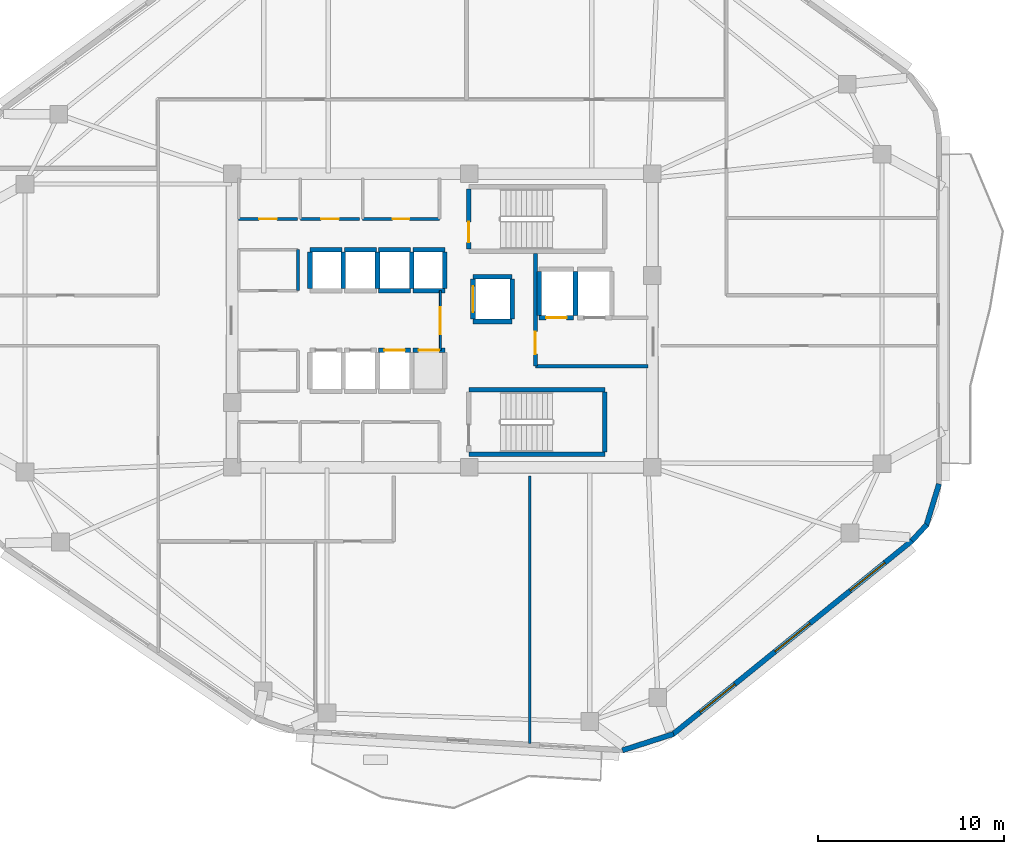
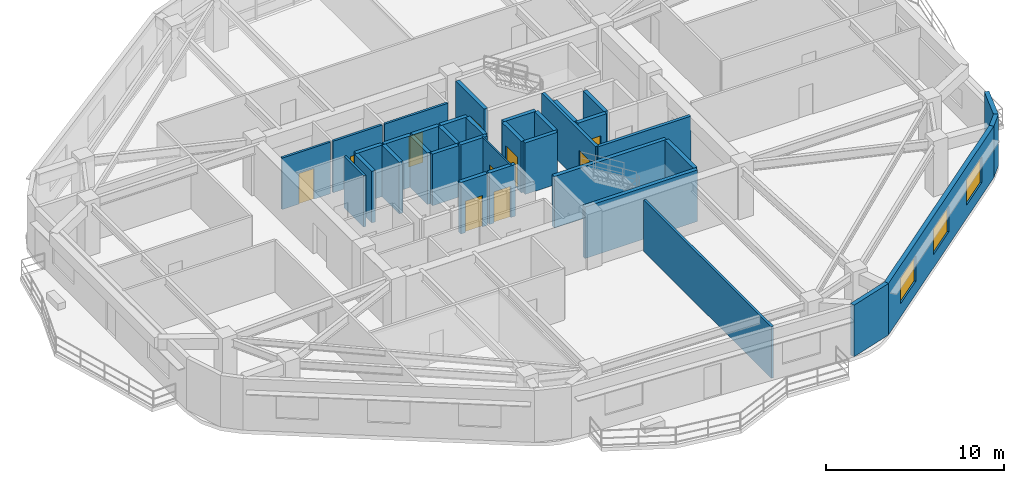
# One storey, part 9 of 15: 36 walls, 10 doors, 3 windows, 13 openings.
"""IFC4 building model written with IfcOpenShell, lengths in metres."""

from ifc_helpers import new_model, si_unit, direction, frame, frame_2d, origin, place, context, subcontext, project, spatial, rectangle, extrude, material, layer, layer_set, type_object, element, fill, save


model = new_model("IFC4")

# Units and contexts
model_context = context("Model", 3, precision=1e-05, world=origin(), true_north=direction((0.0, 1.0)))
body_context = subcontext(model_context, "Body", "Model", "MODEL_VIEW")
ifc_project = project(units=[si_unit("LENGTHUNIT", "METRE"), si_unit("AREAUNIT", "SQUARE_METRE"), si_unit("VOLUMEUNIT", "CUBIC_METRE"), si_unit("PLANEANGLEUNIT", "RADIAN"), si_unit("MASSUNIT", "GRAM", prefix="KILO")], contexts=[model_context])

# Site, building, storey
site_placement = place(None, origin())
site = spatial("IfcSite", under=ifc_project, at=site_placement, CompositionType="ELEMENT")
building_placement = place(site_placement, origin())
building = spatial("IfcBuilding", under=site, at=building_placement, Name="Zulverin Broadcast Headquarters", CompositionType="ELEMENT")
storey_placement = place(building_placement, frame((0.0, 0.0, 193.39990234375)))
storey = spatial("IfcBuildingStorey", under=building, at=storey_placement, Name="L49", CompositionType="ELEMENT", Elevation=193.39990234375)

# Wall, openings, windows
ifc_material_1 = material(Name="Insulated pale-metal clad concrete spandrel C40/50", Category="concrete")
ifc_layer_1 = layer(ifc_material_1, 0.280029296875, Name="Insulated pale-metal clad concrete spandrel C40/50", Category="concrete")
ifc_layer_set_1 = layer_set([ifc_layer_1], Name="Insulated pale-metal clad concrete spandrel C40/50")
wall_type_1 = type_object("IfcWallType", Name="WL-EXT-280", PredefinedType="STANDARD", material=ifc_layer_set_1)
wall_1_placement = place(storey_placement, frame((49.372314453125, 2.98388671875, 0.0), z_axis=(0.0, 0.0, 1.0), x_axis=(0.777278899851, 0.629156190343, 0.0)))
wall_1 = element("IfcWall", 1, at=wall_1_placement, inside=storey, type_object=wall_type_1, Name="L49 Pale-Metal Clad Spandrel Wall 2", PredefinedType="STANDARD", context=body_context, shape_type="SweptSolid", body=[
    extrude(rectangle(XDim=16.5400390625, YDim=0.280029296875, at=frame_2d((8.27001953125, 0.0))), origin(), (0.0, 0.0, 1.0), 3.5400390625),
])
opening_1_placement = place(wall_1_placement, frame((1.889892578125, 0.0, 0.89990234375)))
opening_1 = element("IfcOpeningElement", 2, at=opening_1_placement, cuts=wall_1, Name="Opening W-L49-E21", PredefinedType="OPENING", context=body_context, shape_type="SweptSolid", body=[
    extrude(rectangle(XDim=2.39990234375, YDim=1.75, at=frame_2d((1.199951171875, 0.875))), frame((0.0, 0.14990234375, 0.0), z_axis=(0.0, -1.0, 0.0), x_axis=(1.0, 0.0, 0.0)), (0.0, 0.0, 1.0), 0.300048828125),
])
opening_2_placement = place(wall_1_placement, frame((7.070068359375, 0.0, 0.89990234375)))
opening_2 = element("IfcOpeningElement", 3, at=opening_2_placement, cuts=wall_1, Name="Opening W-L49-E22", PredefinedType="OPENING", context=body_context, shape_type="SweptSolid", body=[
    extrude(rectangle(XDim=2.39990234375, YDim=1.75, at=frame_2d((1.199951171875, 0.875))), frame((0.0, 0.14990234375, 0.0), z_axis=(0.0, -1.0, 0.0), x_axis=(1.0, 0.0, 0.0)), (0.0, 0.0, 1.0), 0.300048828125),
])
opening_3_placement = place(wall_1_placement, frame((12.25, 0.0, 0.89990234375)))
opening_3 = element("IfcOpeningElement", 4, at=opening_3_placement, cuts=wall_1, Name="Opening W-L49-E23", PredefinedType="OPENING", context=body_context, shape_type="SweptSolid", body=[
    extrude(rectangle(XDim=2.39990234375, YDim=1.75, at=frame_2d((1.199951171875, 0.875))), frame((0.0, 0.14990234375, 0.0), z_axis=(0.0, -1.0, 0.0), x_axis=(1.0, 0.0, 0.0)), (0.0, 0.0, 1.0), 0.300048828125),
])
ifc_material_2 = material(Name="Pale anodized aluminium frame with solar-control low-E double glazing", Category="aluminium")
window_type = type_object("IfcWindowType", Name="WIN-RIB-2400", PartitioningType="SINGLE_PANEL", PredefinedType="WINDOW", material=ifc_material_2)
window_1_placement = place(opening_1_placement, origin())
window_1 = element("IfcWindow", 5, at=window_1_placement, inside=storey, type_object=window_type, Name="L49 Ribbon Glazing Window 2 1", OverallHeight=1.75, OverallWidth=2.39990234375, PartitioningType="SINGLE_PANEL", PredefinedType="WINDOW", context=body_context, shape_type="SweptSolid", body=[
    extrude(rectangle(XDim=2.39990234375, YDim=1.75, at=frame_2d((1.199951171875, 0.875))), frame((0.0, 0.030029296875, 0.0), z_axis=(0.0, -1.0, 0.0), x_axis=(1.0, 0.0, 0.0)), (0.0, 0.0, 1.0), 0.06005859375),
])
fill(opening_1, window_1)
window_2_placement = place(opening_2_placement, origin())
window_2 = element("IfcWindow", 6, at=window_2_placement, inside=storey, type_object=window_type, Name="L49 Ribbon Glazing Window 2 2", OverallHeight=1.75, OverallWidth=2.39990234375, PartitioningType="SINGLE_PANEL", PredefinedType="WINDOW", context=body_context, shape_type="SweptSolid", body=[
    extrude(rectangle(XDim=2.39990234375, YDim=1.75, at=frame_2d((1.199951171875, 0.875))), frame((0.0, 0.030029296875, 0.0), z_axis=(0.0, -1.0, 0.0), x_axis=(1.0, 0.0, 0.0)), (0.0, 0.0, 1.0), 0.06005859375),
])
fill(opening_2, window_2)
window_3_placement = place(opening_3_placement, origin())
window_3 = element("IfcWindow", 7, at=window_3_placement, inside=storey, type_object=window_type, Name="L49 Ribbon Glazing Window 2 3", OverallHeight=1.75, OverallWidth=2.39990234375, PartitioningType="SINGLE_PANEL", PredefinedType="WINDOW", context=body_context, shape_type="SweptSolid", body=[
    extrude(rectangle(XDim=2.39990234375, YDim=1.75, at=frame_2d((1.199951171875, 0.875))), frame((0.0, 0.030029296875, 0.0), z_axis=(0.0, -1.0, 0.0), x_axis=(1.0, 0.0, 0.0)), (0.0, 0.0, 1.0), 0.06005859375),
])
fill(opening_3, window_3)

# Walls
wall_2_placement = place(storey_placement, frame((46.666259765625, 2.124267578125, 0.0), z_axis=(0.0, 0.0, 1.0), x_axis=(0.952065470694, 0.305894327363, 0.0)))
element("IfcWall", 8, at=wall_2_placement, inside=storey, type_object=wall_type_1, Name="L49 Wind-Shaped Corner Spandrel Wall 1-1", PredefinedType="STANDARD", context=body_context, shape_type="SweptSolid", body=[
    extrude(rectangle(XDim=2.889892578125, YDim=0.280029296875, at=frame_2d((1.44482421875, 0.0))), origin(), (0.0, 0.0, 1.0), 3.5400390625),
])
wall_3_placement = place(storey_placement, frame((62.21337890625, 13.3759765625, 0.0), z_axis=(0.0, 0.0, 1.0), x_axis=(0.675790054291, 0.737094161232, 0.0)))
element("IfcWall", 9, at=wall_3_placement, inside=storey, type_object=wall_type_1, Name="L49 Wind-Shaped Corner Spandrel Wall 2-1", PredefinedType="STANDARD", context=body_context, shape_type="SweptSolid", body=[
    extrude(rectangle(XDim=1.182861328125, YDim=0.280029296875, at=frame_2d((0.59130859375, 0.0))), origin(), (0.0, 0.0, 1.0), 3.5400390625),
])
wall_4_placement = place(storey_placement, frame((62.98193359375, 14.194091796875, 0.0), z_axis=(0.0, 0.0, 1.0), x_axis=(0.292398811023, 0.956296468315, 0.0)))
element("IfcWall", 10, at=wall_4_placement, inside=storey, type_object=wall_type_1, Name="L49 Wind-Shaped Corner Spandrel Wall 2-2", PredefinedType="STANDARD", context=body_context, shape_type="SweptSolid", body=[
    extrude(rectangle(XDim=2.339599609375, YDim=0.280029296875, at=frame_2d((1.169921875, 0.0))), origin(), (0.0, 0.0, 1.0), 3.5400390625),
])

# Wall, opening, door
ifc_material_3 = material(Name="Concrete C40/50", Category="concrete")
ifc_layer_2 = layer(ifc_material_3, 0.199951171875, Name="Concrete C40/50", Category="concrete")
ifc_layer_set_2 = layer_set([ifc_layer_2], Name="Concrete C40/50")
wall_type_2 = type_object("IfcWallType", Name="WL-FFL-200", PredefinedType="SOLIDWALL", material=ifc_layer_set_2)
wall_5_placement = place(storey_placement, frame((42.0, 22.75, 0.0), z_axis=(0.0, 0.0, 1.0), x_axis=(0.0, 1.0, 0.0)))
wall_5 = element("IfcWall", 11, at=wall_5_placement, inside=storey, type_object=wall_type_2, Name="L49 Firefighting Lift Lobby West Wall", PredefinedType="SOLIDWALL", context=body_context, shape_type="SweptSolid", body=[
    extrude(rectangle(XDim=6.050048828125, YDim=0.199951171875, at=frame_2d((3.02490234375, 0.0))), origin(), (0.0, 0.0, 1.0), 3.5400390625),
])
opening_4_placement = place(wall_5_placement, frame((0.64990234375, 0.0, 0.0)))
opening_4 = element("IfcOpeningElement", 12, at=opening_4_placement, cuts=wall_5, Name="Opening D-L49-FFLW", PredefinedType="OPENING", context=body_context, shape_type="SweptSolid", body=[
    extrude(rectangle(XDim=1.199951171875, YDim=2.14990234375, at=frame_2d((0.60009765625, 1.074951171875))), frame((0.0, 0.10986328125, 0.0), z_axis=(0.0, -1.0, 0.0), x_axis=(1.0, 0.0, 0.0)), (0.0, 0.0, 1.0), 0.219970703125),
])
ifc_material_4 = material(Name="Fire-rated steel leaf and frame", Category="steel")
door_type_1 = type_object("IfcDoorType", Name="DR-FFL-1200", OperationType="SINGLE_SWING_RIGHT", PredefinedType="DOOR", material=ifc_material_4)
door_1_placement = place(opening_4_placement, origin())
door_1 = element("IfcDoor", 13, at=door_1_placement, inside=storey, type_object=door_type_1, Name="L49 Firefighting Lift Lobby Door", OperationType="SINGLE_SWING_RIGHT", OverallHeight=2.14990234375, OverallWidth=1.199951171875, PredefinedType="DOOR", context=body_context, shape_type="SweptSolid", body=[
    extrude(rectangle(XDim=1.199951171875, YDim=2.14990234375, at=frame_2d((0.60009765625, 1.074951171875))), frame((0.0, 0.02490234375, 0.0), z_axis=(0.0, -1.0, 0.0), x_axis=(1.0, 0.0, 0.0)), (0.0, 0.0, 1.0), 0.050048828125),
])
fill(opening_4, door_1)

# Wall
wall_6_placement = place(storey_placement, frame((42.0, 22.75, 0.0), z_axis=(0.0, 0.0, 1.0), x_axis=(1.0, 0.0, 0.0)))
element("IfcWall", 14, at=wall_6_placement, inside=storey, type_object=wall_type_2, Name="L49 Firefighting Lift Lobby South Wall", PredefinedType="SOLIDWALL", context=body_context, shape_type="SweptSolid", body=[
    extrude(rectangle(XDim=6.050048828125, YDim=0.199951171875, at=frame_2d((3.02490234375, 0.0))), origin(), (0.0, 0.0, 1.0), 3.5400390625),
])

# Wall, opening, door
ifc_material_5 = material(Name="Fire-rated acoustic laminated glass screen", Category="glass")
ifc_layer_3 = layer(ifc_material_5, 0.10009765625, Name="Fire-rated acoustic laminated glass screen", Category="glass")
ifc_layer_set_3 = layer_set([ifc_layer_3], Name="Fire-rated acoustic laminated glass screen")
wall_type_3 = type_object("IfcWallType", Name="WL-GLAZ-100", PredefinedType="PARTITIONING", material=ifc_layer_set_3)
wall_7_placement = place(storey_placement, frame((36.89990234375, 23.60009765625, 0.0), z_axis=(0.0, 0.0, 1.0), x_axis=(0.0, 1.0, 0.0)))
wall_7 = element("IfcWall", 15, at=wall_7_placement, inside=storey, type_object=wall_type_3, Name="L49 Core Goods & Stair Hall Screen", PredefinedType="PARTITIONING", context=body_context, shape_type="SweptSolid", body=[
    extrude(rectangle(XDim=3.199951171875, YDim=0.10009765625, at=frame_2d((1.60009765625, 0.0))), origin(), (0.0, 0.0, 1.0), 3.5400390625),
])
opening_5_placement = place(wall_7_placement, frame((0.85009765625, 0.0, 0.0)))
opening_5 = element("IfcOpeningElement", 16, at=opening_5_placement, cuts=wall_7, Name="Opening D-L49-CL3", PredefinedType="OPENING", context=body_context, shape_type="SweptSolid", body=[
    extrude(rectangle(XDim=1.449951171875, YDim=2.1201171875, at=frame_2d((0.72509765625, 1.06005859375))), frame((0.0, 0.06005859375, 0.0), z_axis=(0.0, -1.0, 0.0), x_axis=(1.0, 0.0, 0.0)), (0.0, 0.0, 1.0), 0.1201171875),
])
ifc_material_6 = material(Name="Fire-rated acoustic glazed double leaf", Category="glass")
door_type_2 = type_object("IfcDoorType", Name="DR-GLZ-1450", OperationType="DOUBLE_DOOR_SINGLE_SWING", PredefinedType="DOOR", material=ifc_material_6)
door_2_placement = place(opening_5_placement, origin())
door_2 = element("IfcDoor", 17, at=door_2_placement, inside=storey, type_object=door_type_2, Name="L49 Core Goods & Stair Hall Door", OperationType="DOUBLE_DOOR_SINGLE_SWING", OverallHeight=2.1201171875, OverallWidth=1.449951171875, PredefinedType="DOOR", context=body_context, shape_type="SweptSolid", body=[
    extrude(rectangle(XDim=1.449951171875, YDim=2.1201171875, at=frame_2d((0.72509765625, 1.06005859375))), frame((0.0, 0.02490234375, 0.0), z_axis=(0.0, -1.0, 0.0), x_axis=(1.0, 0.0, 0.0)), (0.0, 0.0, 1.0), 0.050048828125),
])
fill(opening_5, door_2)

ifc_material_7 = material(Name="Fire-rated gypsum stud partition", Category="gypsum")
ifc_layer_4 = layer(ifc_material_7, 0.14990234375, Name="Fire-rated gypsum stud partition", Category="gypsum")
ifc_layer_set_4 = layer_set([ifc_layer_4], Name="Fire-rated gypsum stud partition")
wall_type_4 = type_object("IfcWallType", Name="WL-PART-150", PredefinedType="PARTITIONING", material=ifc_layer_set_4)
wall_8_placement = place(storey_placement, frame((26.070068359375, 30.64990234375, 0.0), z_axis=(0.0, 0.0, 1.0), x_axis=(1.0, 0.0, 0.0)))
wall_8 = element("IfcWall", 18, at=wall_8_placement, inside=storey, type_object=wall_type_4, Name="L49 Core Male WC Front Wall", PredefinedType="PARTITIONING", context=body_context, shape_type="SweptSolid", body=[
    extrude(rectangle(XDim=3.14990234375, YDim=0.14990234375, at=frame_2d((1.574951171875, 0.0))), origin(), (0.0, 0.0, 1.0), 3.5400390625),
])
opening_6_placement = place(wall_8_placement, frame((1.10009765625, 0.0, 0.0)))
opening_6 = element("IfcOpeningElement", 19, at=opening_6_placement, cuts=wall_8, Name="Opening D-L49-NC1", PredefinedType="OPENING", context=body_context, shape_type="SweptSolid", body=[
    extrude(rectangle(XDim=0.949951171875, YDim=2.10009765625, at=frame_2d((0.47509765625, 1.050048828125))), frame((0.0, 0.0849609375, 0.0), z_axis=(0.0, -1.0, 0.0), x_axis=(1.0, 0.0, 0.0)), (0.0, 0.0, 1.0), 0.169921875),
])
ifc_material_8 = material(Name="Fire-rated moisture-resistant laminate leaf", Category="wood")
door_type_3 = type_object("IfcDoorType", Name="DR-WC-950", OperationType="SINGLE_SWING_LEFT", PredefinedType="DOOR", material=ifc_material_8)
door_3_placement = place(opening_6_placement, origin())
door_3 = element("IfcDoor", 20, at=door_3_placement, inside=storey, type_object=door_type_3, Name="L49 Male WC Door", OperationType="SINGLE_SWING_LEFT", OverallHeight=2.10009765625, OverallWidth=0.949951171875, PredefinedType="DOOR", context=body_context, shape_type="SweptSolid", body=[
    extrude(rectangle(XDim=0.949951171875, YDim=2.10009765625, at=frame_2d((0.47509765625, 1.050048828125))), frame((0.0, 0.02490234375, 0.0), z_axis=(0.0, -1.0, 0.0), x_axis=(1.0, 0.0, 0.0)), (0.0, 0.0, 1.0), 0.050048828125),
])
fill(opening_6, door_3)

wall_9_placement = place(storey_placement, frame((29.3798828125, 30.64990234375, 0.0), z_axis=(0.0, 0.0, 1.0), x_axis=(1.0, 0.0, 0.0)))
wall_9 = element("IfcWall", 21, at=wall_9_placement, inside=storey, type_object=wall_type_4, Name="L49 Core Accessible WC Front Wall", PredefinedType="PARTITIONING", context=body_context, shape_type="SweptSolid", body=[
    extrude(rectangle(XDim=3.190185546875, YDim=0.14990234375, at=frame_2d((1.59521484375, 0.0))), origin(), (0.0, 0.0, 1.0), 3.5400390625),
])
opening_7_placement = place(wall_9_placement, frame((1.1201171875, 0.0, 0.0)))
opening_7 = element("IfcOpeningElement", 22, at=opening_7_placement, cuts=wall_9, Name="Opening D-L49-NC2", PredefinedType="OPENING", context=body_context, shape_type="SweptSolid", body=[
    extrude(rectangle(XDim=0.949951171875, YDim=2.10009765625, at=frame_2d((0.47509765625, 1.050048828125))), frame((0.0, 0.0849609375, 0.0), z_axis=(0.0, -1.0, 0.0), x_axis=(1.0, 0.0, 0.0)), (0.0, 0.0, 1.0), 0.169921875),
])
door_4_placement = place(opening_7_placement, origin())
door_4 = element("IfcDoor", 23, at=door_4_placement, inside=storey, type_object=door_type_3, Name="L49 Accessible WC Door", OperationType="SINGLE_SWING_RIGHT", OverallHeight=2.10009765625, OverallWidth=0.949951171875, PredefinedType="DOOR", context=body_context, shape_type="SweptSolid", body=[
    extrude(rectangle(XDim=0.949951171875, YDim=2.10009765625, at=frame_2d((0.47509765625, 1.050048828125))), frame((0.0, 0.02490234375, 0.0), z_axis=(0.0, -1.0, 0.0), x_axis=(1.0, 0.0, 0.0)), (0.0, 0.0, 1.0), 0.050048828125),
])
fill(opening_7, door_4)

wall_10_placement = place(storey_placement, frame((32.72998046875, 30.64990234375, 0.0), z_axis=(0.0, 0.0, 1.0), x_axis=(1.0, 0.0, 0.0)))
wall_10 = element("IfcWall", 24, at=wall_10_placement, inside=storey, type_object=wall_type_4, Name="L49 Core Electrical Distribution Riser Front Wall", PredefinedType="PARTITIONING", context=body_context, shape_type="SweptSolid", body=[
    extrude(rectangle(XDim=4.1201171875, YDim=0.14990234375, at=frame_2d((2.06005859375, 0.0))), origin(), (0.0, 0.0, 1.0), 3.5400390625),
])
opening_8_placement = place(wall_10_placement, frame((1.610107421875, 0.0, 0.0)))
opening_8 = element("IfcOpeningElement", 25, at=opening_8_placement, cuts=wall_10, Name="Opening D-L49-NC3", PredefinedType="OPENING", context=body_context, shape_type="SweptSolid", body=[
    extrude(rectangle(XDim=0.89990234375, YDim=2.10009765625, at=frame_2d((0.449951171875, 1.050048828125))), frame((0.0, 0.0849609375, 0.0), z_axis=(0.0, -1.0, 0.0), x_axis=(1.0, 0.0, 0.0)), (0.0, 0.0, 1.0), 0.169921875),
])
ifc_material_9 = material(Name="Powder-coated steel access leaf", Category="steel")
door_type_4 = type_object("IfcDoorType", Name="DR-RISER-900", OperationType="SINGLE_SWING_LEFT", PredefinedType="DOOR", material=ifc_material_9)
door_5_placement = place(opening_8_placement, origin())
door_5 = element("IfcDoor", 26, at=door_5_placement, inside=storey, type_object=door_type_4, Name="L49 Electrical Distribution Riser Door", OperationType="SINGLE_SWING_LEFT", OverallHeight=2.10009765625, OverallWidth=0.89990234375, PredefinedType="DOOR", context=body_context, shape_type="SweptSolid", body=[
    extrude(rectangle(XDim=0.89990234375, YDim=2.10009765625, at=frame_2d((0.449951171875, 1.050048828125))), frame((0.0, 0.02490234375, 0.0), z_axis=(0.0, -1.0, 0.0), x_axis=(1.0, 0.0, 0.0)), (0.0, 0.0, 1.0), 0.050048828125),
])
fill(opening_8, door_5)

# Walls
wall_11_placement = place(storey_placement, frame((29.25, 26.800048828125, 0.0), z_axis=(0.0, 0.0, 1.0), x_axis=(0.0, 1.0, 0.0)))
element("IfcWall", 27, at=wall_11_placement, inside=storey, type_object=wall_type_4, Name="L49 Core UPS Battery Store E Wall", PredefinedType="PARTITIONING", context=body_context, shape_type="SweptSolid", body=[
    extrude(rectangle(XDim=2.199951171875, YDim=0.14990234375, at=frame_2d((1.10009765625, 0.0))), origin(), (0.0, 0.0, 1.0), 3.5400390625),
])
wall_12_placement = place(storey_placement, frame((41.699951171875, 2.490478515625, 0.0), z_axis=(0.0, 0.0, 1.0), x_axis=(0.0, 1.0, 0.0)))
element("IfcWall", 28, at=wall_12_placement, inside=storey, type_object=wall_type_4, Name="L49 Room Partition Wall RP-02", PredefinedType="PARTITIONING", context=body_context, shape_type="SweptSolid", body=[
    extrude(rectangle(XDim=14.36962890625, YDim=0.14990234375, at=frame_2d((7.184814453125, 0.0))), origin(), (0.0, 0.0, 1.0), 3.5400390625),
])

# Wall, opening, door
ifc_material_10 = material(Name="Concrete C50/60", Category="concrete")
ifc_layer_5 = layer(ifc_material_10, 0.25, Name="Concrete C50/60", Category="concrete")
ifc_layer_set_5 = layer_set([ifc_layer_5], Name="Concrete C50/60")
wall_type_5 = type_object("IfcWallType", Name="WL-SHAFT-250", PredefinedType="SHEAR", material=ifc_layer_set_5)
wall_13_placement = place(storey_placement, frame((38.425048828125, 29.050048828125, 0.0), z_axis=(0.0, 0.0, 1.0), x_axis=(0.0, 1.0, 0.0)))
wall_13 = element("IfcWall", 29, at=wall_13_placement, inside=storey, type_object=wall_type_5, Name="L49 ST-1 Enclosure Wall W", PredefinedType="SHEAR", context=body_context, shape_type="SweptSolid", body=[
    extrude(rectangle(XDim=3.199951171875, YDim=0.25, at=frame_2d((1.60009765625, 0.0))), origin(), (0.0, 0.0, 1.0), 3.5400390625),
])
opening_9_placement = place(wall_13_placement, frame((0.35009765625, 0.0, 0.0)))
opening_9 = element("IfcOpeningElement", 30, at=opening_9_placement, cuts=wall_13, Name="Opening D-L49-ST-1", PredefinedType="OPENING", context=body_context, shape_type="SweptSolid", body=[
    extrude(rectangle(XDim=1.10009765625, YDim=2.14990234375, at=frame_2d((0.550048828125, 1.074951171875))), frame((0.0, 0.135009765625, 0.0), z_axis=(0.0, -1.0, 0.0), x_axis=(1.0, 0.0, 0.0)), (0.0, 0.0, 1.0), 0.27001953125),
])
door_type_5 = type_object("IfcDoorType", Name="DR-STAIR-1100", OperationType="SINGLE_SWING_LEFT", PredefinedType="DOOR", material=ifc_material_4)
door_6_placement = place(opening_9_placement, origin())
door_6 = element("IfcDoor", 31, at=door_6_placement, inside=storey, type_object=door_type_5, Name="L49 Exit Stair ST-1 Fire Door", OperationType="SINGLE_SWING_LEFT", OverallHeight=2.14990234375, OverallWidth=1.10009765625, PredefinedType="DOOR", context=body_context, shape_type="SweptSolid", body=[
    extrude(rectangle(XDim=1.10009765625, YDim=2.14990234375, at=frame_2d((0.550048828125, 1.074951171875))), frame((0.0, 0.02490234375, 0.0), z_axis=(0.0, -1.0, 0.0), x_axis=(1.0, 0.0, 0.0)), (0.0, 0.0, 1.0), 0.050048828125),
])
fill(opening_9, door_6)

# Walls
for number, where, z_axis, x_axis, name in (
    (32, (38.425048828125, 18.02490234375, 0.0), (0.0, 0.0, 1.0), (1.0, 0.0, 0.0), "L49 ST-2 Enclosure Wall S"),
    (33, (38.425048828125, 21.47509765625, 0.0), (0.0, 0.0, 1.0), (1.0, 0.0, 0.0), "L49 ST-2 Enclosure Wall N"),
):
    element("IfcWall", number, at=place(storey_placement, frame(where, z_axis=z_axis, x_axis=x_axis)), inside=storey, type_object=wall_type_5, Name=name, PredefinedType="SHEAR", context=body_context, shape_type="SweptSolid", body=[
        extrude(rectangle(XDim=7.300048828125, YDim=0.25, at=frame_2d((3.64990234375, 0.0))), origin(), (0.0, 0.0, 1.0), 3.5400390625),
    ])
wall_14_placement = place(storey_placement, frame((45.72509765625, 18.14990234375, 0.0), z_axis=(0.0, 0.0, 1.0), x_axis=(0.0, 1.0, 0.0)))
element("IfcWall", 34, at=wall_14_placement, inside=storey, type_object=wall_type_5, Name="L49 ST-2 Enclosure Wall E", PredefinedType="SHEAR", context=body_context, shape_type="SweptSolid", body=[
    extrude(rectangle(XDim=3.2001953125, YDim=0.25, at=frame_2d((1.60009765625, 0.0))), origin(), (0.0, 0.0, 1.0), 3.5400390625),
])

# Wall, opening, door
wall_15_placement = place(storey_placement, frame((33.580078125, 23.60009765625, 0.0), z_axis=(0.0, 0.0, 1.0), x_axis=(1.0, 0.0, 0.0)))
wall_15 = element("IfcWall", 35, at=wall_15_placement, inside=storey, type_object=wall_type_5, Name="L49 Lift PL-M3 Shaft Wall N", PredefinedType="SHEAR", context=body_context, shape_type="SweptSolid", body=[
    extrude(rectangle(XDim=1.719970703125, YDim=0.25, at=frame_2d((0.85986328125, 0.0))), origin(), (0.0, 0.0, 1.0), 3.5400390625),
])
opening_10_placement = place(wall_15_placement, frame((0.31005859375, 0.0, 0.0)))
opening_10 = element("IfcOpeningElement", 36, at=opening_10_placement, cuts=wall_15, Name="Opening LD-PL-M3-L49", PredefinedType="OPENING", context=body_context, shape_type="SweptSolid", body=[
    extrude(rectangle(XDim=1.10009765625, YDim=2.14990234375, at=frame_2d((0.550048828125, 1.074951171875))), frame((0.0, 0.135009765625, 0.0), z_axis=(0.0, -1.0, 0.0), x_axis=(1.0, 0.0, 0.0)), (0.0, 0.0, 1.0), 0.27001953125),
])
ifc_material_11 = material(Name="Brushed stainless steel landing", Category="steel")
door_type_6 = type_object("IfcDoorType", Name="LD-PASS-1100", OperationType="DOUBLE_DOOR_SLIDING", PredefinedType="DOOR", material=ifc_material_11)
door_7_placement = place(opening_10_placement, origin())
door_7 = element("IfcDoor", 37, at=door_7_placement, inside=storey, type_object=door_type_6, Name="L49 Lift PL-M3 Sliding Landing Door", OperationType="DOUBLE_DOOR_SLIDING", OverallHeight=2.14990234375, OverallWidth=1.10009765625, PredefinedType="DOOR", context=body_context, shape_type="SweptSolid", body=[
    extrude(rectangle(XDim=1.10009765625, YDim=2.14990234375, at=frame_2d((0.550048828125, 1.074951171875))), frame((0.0, 0.02490234375, 0.0), z_axis=(0.0, -1.0, 0.0), x_axis=(1.0, 0.0, 0.0)), (0.0, 0.0, 1.0), 0.050048828125),
])
fill(opening_10, door_7)

wall_16_placement = place(storey_placement, frame((35.419921875, 23.60009765625, 0.0), z_axis=(0.0, 0.0, 1.0), x_axis=(1.0, 0.0, 0.0)))
wall_16 = element("IfcWall", 38, at=wall_16_placement, inside=storey, type_object=wall_type_5, Name="L49 Lift PL-M4 Shaft Wall N", PredefinedType="SHEAR", context=body_context, shape_type="SweptSolid", body=[
    extrude(rectangle(XDim=1.719970703125, YDim=0.25, at=frame_2d((0.85986328125, 0.0))), origin(), (0.0, 0.0, 1.0), 3.5400390625),
])
opening_11_placement = place(wall_16_placement, frame((0.31005859375, 0.0, 0.0)))
opening_11 = element("IfcOpeningElement", 39, at=opening_11_placement, cuts=wall_16, Name="Opening LD-PL-M4-L49", PredefinedType="OPENING", context=body_context, shape_type="SweptSolid", body=[
    extrude(rectangle(XDim=1.10009765625, YDim=2.14990234375, at=frame_2d((0.550048828125, 1.074951171875))), frame((0.0, 0.135009765625, 0.0), z_axis=(0.0, -1.0, 0.0), x_axis=(1.0, 0.0, 0.0)), (0.0, 0.0, 1.0), 0.27001953125),
])
door_8_placement = place(opening_11_placement, origin())
door_8 = element("IfcDoor", 40, at=door_8_placement, inside=storey, type_object=door_type_6, Name="L49 Lift PL-M4 Sliding Landing Door", OperationType="DOUBLE_DOOR_SLIDING", OverallHeight=2.14990234375, OverallWidth=1.10009765625, PredefinedType="DOOR", context=body_context, shape_type="SweptSolid", body=[
    extrude(rectangle(XDim=1.10009765625, YDim=2.14990234375, at=frame_2d((0.550048828125, 1.074951171875))), frame((0.0, 0.02490234375, 0.0), z_axis=(0.0, -1.0, 0.0), x_axis=(1.0, 0.0, 0.0)), (0.0, 0.0, 1.0), 0.050048828125),
])
fill(opening_11, door_8)

# Walls
wall_17_placement = place(storey_placement, frame((29.89990234375, 29.0, 0.0), z_axis=(0.0, 0.0, 1.0), x_axis=(1.0, 0.0, 0.0)))
element("IfcWall", 41, at=wall_17_placement, inside=storey, type_object=wall_type_5, Name="L49 Lift PL-H1 Shaft Wall N", PredefinedType="SHEAR", context=body_context, shape_type="SweptSolid", body=[
    extrude(rectangle(XDim=1.72021484375, YDim=0.25, at=frame_2d((0.860107421875, 0.0))), origin(), (0.0, 0.0, 1.0), 3.5400390625),
])
for number, where, z_axis, x_axis, name in (
    (42, (29.89990234375, 26.919921875, 0.0), (0.0, 0.0, 1.0), (0.0, 1.0, 0.0), "L49 Lift PL-H1 Shaft Wall W"),
    (43, (31.679931640625, 26.919921875, 0.0), (0.0, 0.0, 1.0), (0.0, 1.0, 0.0), "L49 Lift PL-H1 Shaft Wall E"),
):
    element("IfcWall", number, at=place(storey_placement, frame(where, z_axis=z_axis, x_axis=x_axis)), inside=storey, type_object=wall_type_5, Name=name, PredefinedType="SHEAR", context=body_context, shape_type="SweptSolid", body=[
        extrude(rectangle(XDim=1.9599609375, YDim=0.25, at=frame_2d((0.97998046875, 0.0))), origin(), (0.0, 0.0, 1.0), 3.5400390625),
    ])
wall_18_placement = place(storey_placement, frame((31.739990234375, 29.0, 0.0), z_axis=(0.0, 0.0, 1.0), x_axis=(1.0, 0.0, 0.0)))
element("IfcWall", 44, at=wall_18_placement, inside=storey, type_object=wall_type_5, Name="L49 Lift PL-H2 Shaft Wall N", PredefinedType="SHEAR", context=body_context, shape_type="SweptSolid", body=[
    extrude(rectangle(XDim=1.719970703125, YDim=0.25, at=frame_2d((0.85986328125, 0.0))), origin(), (0.0, 0.0, 1.0), 3.5400390625),
])
wall_19_placement = place(storey_placement, frame((33.52001953125, 26.919921875, 0.0), z_axis=(0.0, 0.0, 1.0), x_axis=(0.0, 1.0, 0.0)))
element("IfcWall", 45, at=wall_19_placement, inside=storey, type_object=wall_type_5, Name="L49 Lift PL-H2 Shaft Wall E", PredefinedType="SHEAR", context=body_context, shape_type="SweptSolid", body=[
    extrude(rectangle(XDim=1.9599609375, YDim=0.25, at=frame_2d((0.97998046875, 0.0))), origin(), (0.0, 0.0, 1.0), 3.5400390625),
])
for number, where, z_axis, x_axis, name in (
    (46, (33.580078125, 26.800048828125, 0.0), (0.0, 0.0, 1.0), (1.0, 0.0, 0.0), "L49 Lift PL-H3 Shaft Wall S"),
    (47, (33.580078125, 29.0, 0.0), (0.0, 0.0, 1.0), (1.0, 0.0, 0.0), "L49 Lift PL-H3 Shaft Wall N"),
):
    element("IfcWall", number, at=place(storey_placement, frame(where, z_axis=z_axis, x_axis=x_axis)), inside=storey, type_object=wall_type_5, Name=name, PredefinedType="SHEAR", context=body_context, shape_type="SweptSolid", body=[
        extrude(rectangle(XDim=1.719970703125, YDim=0.25, at=frame_2d((0.85986328125, 0.0))), origin(), (0.0, 0.0, 1.0), 3.5400390625),
    ])
wall_20_placement = place(storey_placement, frame((35.360107421875, 26.919921875, 0.0), z_axis=(0.0, 0.0, 1.0), x_axis=(0.0, 1.0, 0.0)))
element("IfcWall", 48, at=wall_20_placement, inside=storey, type_object=wall_type_5, Name="L49 Lift PL-H3 Shaft Wall E", PredefinedType="SHEAR", context=body_context, shape_type="SweptSolid", body=[
    extrude(rectangle(XDim=1.9599609375, YDim=0.25, at=frame_2d((0.97998046875, 0.0))), origin(), (0.0, 0.0, 1.0), 3.5400390625),
])
for number, where, z_axis, x_axis, name in (
    (49, (35.419921875, 26.800048828125, 0.0), (0.0, 0.0, 1.0), (1.0, 0.0, 0.0), "L49 Lift PL-H4 Shaft Wall S"),
    (50, (35.419921875, 29.0, 0.0), (0.0, 0.0, 1.0), (1.0, 0.0, 0.0), "L49 Lift PL-H4 Shaft Wall N"),
):
    element("IfcWall", number, at=place(storey_placement, frame(where, z_axis=z_axis, x_axis=x_axis)), inside=storey, type_object=wall_type_5, Name=name, PredefinedType="SHEAR", context=body_context, shape_type="SweptSolid", body=[
        extrude(rectangle(XDim=1.719970703125, YDim=0.25, at=frame_2d((0.85986328125, 0.0))), origin(), (0.0, 0.0, 1.0), 3.5400390625),
    ])
wall_21_placement = place(storey_placement, frame((37.139892578125, 26.919921875, 0.0), z_axis=(0.0, 0.0, 1.0), x_axis=(0.0, 1.0, 0.0)))
element("IfcWall", 51, at=wall_21_placement, inside=storey, type_object=wall_type_5, Name="L49 Lift PL-H4 Shaft Wall E", PredefinedType="SHEAR", context=body_context, shape_type="SweptSolid", body=[
    extrude(rectangle(XDim=1.9599609375, YDim=0.25, at=frame_2d((0.97998046875, 0.0))), origin(), (0.0, 0.0, 1.0), 3.5400390625),
])

# Wall, opening, door
wall_22_placement = place(storey_placement, frame((42.199951171875, 25.35009765625, 0.0), z_axis=(0.0, 0.0, 1.0), x_axis=(1.0, 0.0, 0.0)))
wall_22 = element("IfcWall", 52, at=wall_22_placement, inside=storey, type_object=wall_type_5, Name="L49 Lift FFL-1 Shaft Wall S", PredefinedType="SHEAR", context=body_context, shape_type="SweptSolid", body=[
    extrude(rectangle(XDim=1.85009765625, YDim=0.25, at=frame_2d((0.925048828125, 0.0))), origin(), (0.0, 0.0, 1.0), 3.5400390625),
])
opening_12_placement = place(wall_22_placement, frame((0.375, 0.0, 0.0)))
opening_12 = element("IfcOpeningElement", 53, at=opening_12_placement, cuts=wall_22, Name="Opening LD-FFL-1-L49", PredefinedType="OPENING", context=body_context, shape_type="SweptSolid", body=[
    extrude(rectangle(XDim=1.10009765625, YDim=2.14990234375, at=frame_2d((0.550048828125, 1.074951171875))), frame((0.0, 0.135009765625, 0.0), z_axis=(0.0, -1.0, 0.0), x_axis=(1.0, 0.0, 0.0)), (0.0, 0.0, 1.0), 0.27001953125),
])
ifc_material_12 = material(Name="Fire-rated stainless landing door", Category="steel")
door_type_7 = type_object("IfcDoorType", Name="LD-FFL-1100", OperationType="DOUBLE_DOOR_SLIDING", PredefinedType="DOOR", material=ifc_material_12)
door_9_placement = place(opening_12_placement, origin())
door_9 = element("IfcDoor", 54, at=door_9_placement, inside=storey, type_object=door_type_7, Name="L49 Lift FFL-1 Sliding Landing Door", OperationType="DOUBLE_DOOR_SLIDING", OverallHeight=2.14990234375, OverallWidth=1.10009765625, PredefinedType="DOOR", context=body_context, shape_type="SweptSolid", body=[
    extrude(rectangle(XDim=1.10009765625, YDim=2.14990234375, at=frame_2d((0.550048828125, 1.074951171875))), frame((0.0, 0.02490234375, 0.0), z_axis=(0.0, -1.0, 0.0), x_axis=(1.0, 0.0, 0.0)), (0.0, 0.0, 1.0), 0.050048828125),
])
fill(opening_12, door_9)

# Walls
for number, where, z_axis, x_axis, name in (
    (55, (42.199951171875, 25.469970703125, 0.0), (0.0, 0.0, 1.0), (0.0, 1.0, 0.0), "L49 Lift FFL-1 Shaft Wall W"),
    (56, (44.14990234375, 25.469970703125, 0.0), (0.0, 0.0, 1.0), (0.0, 1.0, 0.0), "L49 Lift FFL-1 Shaft Wall E"),
):
    element("IfcWall", number, at=place(storey_placement, frame(where, z_axis=z_axis, x_axis=x_axis)), inside=storey, type_object=wall_type_5, Name=name, PredefinedType="SHEAR", context=body_context, shape_type="SweptSolid", body=[
        extrude(rectangle(XDim=2.360107421875, YDim=0.25, at=frame_2d((1.18017578125, 0.0))), origin(), (0.0, 0.0, 1.0), 3.5400390625),
    ])
for number, where, z_axis, x_axis, name in (
    (57, (38.64990234375, 25.14990234375, 0.0), (0.0, 0.0, 1.0), (1.0, 0.0, 0.0), "L49 Lift SVL-1 Shaft Wall S"),
    (58, (38.64990234375, 27.550048828125, 0.0), (0.0, 0.0, 1.0), (1.0, 0.0, 0.0), "L49 Lift SVL-1 Shaft Wall N"),
):
    element("IfcWall", number, at=place(storey_placement, frame(where, z_axis=z_axis, x_axis=x_axis)), inside=storey, type_object=wall_type_5, Name=name, PredefinedType="SHEAR", context=body_context, shape_type="SweptSolid", body=[
        extrude(rectangle(XDim=2.10009765625, YDim=0.25, at=frame_2d((1.050048828125, 0.0))), origin(), (0.0, 0.0, 1.0), 3.5400390625),
    ])

# Wall, opening, door
wall_23_placement = place(storey_placement, frame((38.64990234375, 25.27001953125, 0.0), z_axis=(0.0, 0.0, 1.0), x_axis=(0.0, 1.0, 0.0)))
wall_23 = element("IfcWall", 59, at=wall_23_placement, inside=storey, type_object=wall_type_5, Name="L49 Lift SVL-1 Shaft Wall W", PredefinedType="SHEAR", context=body_context, shape_type="SweptSolid", body=[
    extrude(rectangle(XDim=2.159912109375, YDim=0.25, at=frame_2d((1.080078125, 0.0))), origin(), (0.0, 0.0, 1.0), 3.5400390625),
])
opening_13_placement = place(wall_23_placement, frame((0.3798828125, 0.0, 0.0)))
opening_13 = element("IfcOpeningElement", 60, at=opening_13_placement, cuts=wall_23, Name="Opening LD-SVL-1-L49", PredefinedType="OPENING", context=body_context, shape_type="SweptSolid", body=[
    extrude(rectangle(XDim=1.39990234375, YDim=2.199951171875, at=frame_2d((0.699951171875, 1.10009765625))), frame((0.0, 0.135009765625, 0.0), z_axis=(0.0, -1.0, 0.0), x_axis=(1.0, 0.0, 0.0)), (0.0, 0.0, 1.0), 0.27001953125),
])
ifc_material_13 = material(Name="Heavy-duty stainless landing door", Category="steel")
door_type_8 = type_object("IfcDoorType", Name="LD-GOODS-1400", OperationType="DOUBLE_DOOR_SLIDING", PredefinedType="DOOR", material=ifc_material_13)
door_10_placement = place(opening_13_placement, origin())
door_10 = element("IfcDoor", 61, at=door_10_placement, inside=storey, type_object=door_type_8, Name="L49 Lift SVL-1 Sliding Landing Door", OperationType="DOUBLE_DOOR_SLIDING", OverallHeight=2.199951171875, OverallWidth=1.39990234375, PredefinedType="DOOR", context=body_context, shape_type="SweptSolid", body=[
    extrude(rectangle(XDim=1.39990234375, YDim=2.199951171875, at=frame_2d((0.699951171875, 1.10009765625))), frame((0.0, 0.02490234375, 0.0), z_axis=(0.0, -1.0, 0.0), x_axis=(1.0, 0.0, 0.0)), (0.0, 0.0, 1.0), 0.050048828125),
])
fill(opening_13, door_10)

# Wall
wall_24_placement = place(storey_placement, frame((40.75, 25.27001953125, 0.0), z_axis=(0.0, 0.0, 1.0), x_axis=(0.0, 1.0, 0.0)))
element("IfcWall", 62, at=wall_24_placement, inside=storey, type_object=wall_type_5, Name="L49 Lift SVL-1 Shaft Wall E", PredefinedType="SHEAR", context=body_context, shape_type="SweptSolid", body=[
    extrude(rectangle(XDim=2.159912109375, YDim=0.25, at=frame_2d((1.080078125, 0.0))), origin(), (0.0, 0.0, 1.0), 3.5400390625),
])

save(model, "model.ifc")
